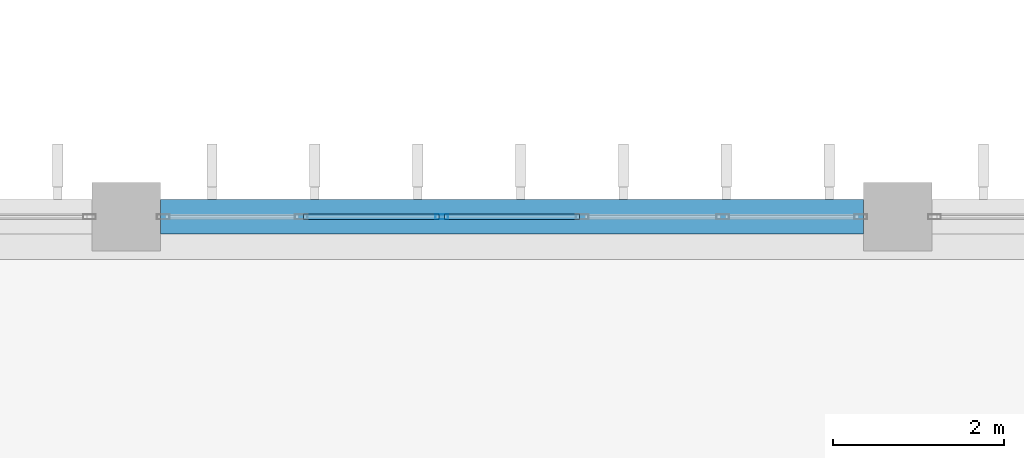
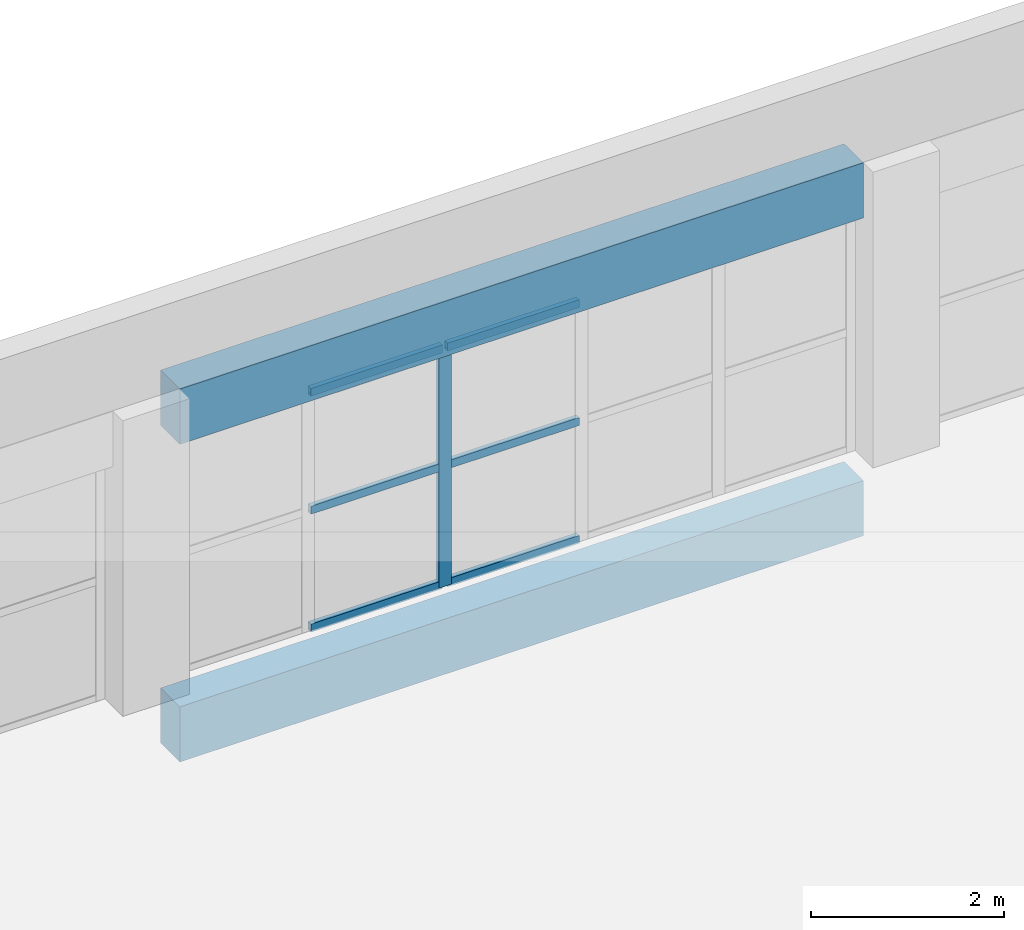
# One storey, part 61 of 185: 7 members, 2 beams, 1 element without a shape of its own.
"""IFC4 building model written with IfcOpenShell, lengths in metres."""

from ifc_helpers import new_model, si_unit, direction, frame, origin, origin_2d, place, context, subcontext, project, spatial, rectangle, hollow_rectangle, extrude, material, layer, layer_set, material_profile, profile_set, type_object, element, aggregate, save


model = new_model("IFC4")

# Units and contexts
model_context = context("Model", 3, precision=1e-05, world=origin(), true_north=direction((0.0, 1.0)))
body_context = subcontext(model_context, "Body", "Model", "MODEL_VIEW")
ifc_project = project(units=[si_unit("LENGTHUNIT", "METRE"), si_unit("AREAUNIT", "SQUARE_METRE"), si_unit("VOLUMEUNIT", "CUBIC_METRE"), si_unit("PLANEANGLEUNIT", "RADIAN"), si_unit("MASSUNIT", "GRAM", prefix="KILO")], contexts=[model_context])

# Site, building, storey
site_placement = place(None, origin())
site = spatial("IfcSite", under=ifc_project, at=site_placement, CompositionType="ELEMENT")
building_placement = place(site_placement, origin())
building = spatial("IfcBuilding", under=site, at=building_placement, Name="Opaline Strait Convention Centre", CompositionType="ELEMENT")
storey_placement = place(building_placement, frame((0.0, 0.0, 6.0)))
storey = spatial("IfcBuildingStorey", under=building, at=storey_placement, Name="L01", CompositionType="ELEMENT", Elevation=6.0)

# Curtain wall, members
ifc_material_1 = material(Name="Aluminium 6063-T5", Category="aluminium")
ifc_layer = layer(ifc_material_1, 0.199951171875)
ifc_layer_set = layer_set([ifc_layer], Name="Aluminium 6063-T5")
curtain_wall_type = type_object("IfcCurtainWallType", Name="Unitised curtain wall 1640 module", PredefinedType="NOTDEFINED", material=ifc_layer_set)
curtain_wall_placement = place(storey_placement, origin())
curtain_wall = element("IfcCurtainWall", 1, at=curtain_wall_placement, inside=storey, type_object=curtain_wall_type, Name="Ballroom north curtain wall L01 bay 5", PredefinedType="NOTDEFINED")
ifc_material_2 = material(Name="Aluminium alloy 6063", Category="aluminium")
ifc_material_profile_1 = material_profile(ifc_material_2, hollow_rectangle(XDim=0.06005859375, YDim=0.14990234375, WallThickness=0.00390625, at=origin_2d()), Name="MULLION 60x150x4")
ifc_profile_set_1 = profile_set([ifc_material_profile_1], Name="Aluminium alloy 6063")
member_type_1 = type_object("IfcMemberType", Name="Curtain wall mullion 60 x 150", PredefinedType="MULLION", material=ifc_profile_set_1)
member_1_placement = place(storey_placement, frame((327.679931640625, 72.0, 0.0), z_axis=(0.0, 0.0, 1.0), x_axis=(0.0, 1.0, 0.0)))
member_1 = element("IfcMember", 2, at=member_1_placement, type_object=member_type_1, Name="BG2 mullion 3", PredefinedType="MULLION", context=body_context, shape_type="SweptSolid", body=[
    extrude(hollow_rectangle(XDim=0.06005859375, YDim=0.14990234375, WallThickness=0.00390625, at=origin_2d()), origin(), (0.0, 0.0, 1.0), 3.050048828125),
])
ifc_material_profile_2 = material_profile(ifc_material_2, hollow_rectangle(XDim=0.06005859375, YDim=0.10009765625, WallThickness=0.0029296875, at=origin_2d()), Name="TRANSOM 60x100x3")
ifc_profile_set_2 = profile_set([ifc_material_profile_2], Name="Aluminium alloy 6063")
member_type_2 = type_object("IfcMemberType", Name="Curtain wall transom 60 x 100", PredefinedType="USERDEFINED", material=ifc_profile_set_2)
member_2_placement = place(storey_placement, frame((326.06982421875, 72.0, 0.030029296875), z_axis=(1.0, 0.0, 0.0), x_axis=(0.0, 1.0, 0.0)))
member_2 = element("IfcMember", 3, at=member_2_placement, type_object=member_type_2, Name="BG2 transom 2.1", ObjectType="TRANSOM", PredefinedType="USERDEFINED", context=body_context, shape_type="SweptSolid", body=[
    extrude(hollow_rectangle(XDim=0.06005859375, YDim=0.10009765625, WallThickness=0.0029296875, at=origin_2d()), origin(), (0.0, 0.0, 1.0), 1.580078125),
])
member_3_placement = place(storey_placement, frame((326.06982421875, 72.0, 1.52490234375), z_axis=(1.0, 0.0, 0.0), x_axis=(0.0, 1.0, 0.0)))
member_3 = element("IfcMember", 4, at=member_3_placement, type_object=member_type_2, Name="BG2 transom 2.2", ObjectType="TRANSOM", PredefinedType="USERDEFINED", context=body_context, shape_type="SweptSolid", body=[
    extrude(hollow_rectangle(XDim=0.06005859375, YDim=0.10009765625, WallThickness=0.0029296875, at=origin_2d()), origin(), (0.0, 0.0, 1.0), 1.580078125),
])
member_4_placement = place(storey_placement, frame((326.06982421875, 72.0, 3.02001953125), z_axis=(1.0, 0.0, 0.0), x_axis=(0.0, 1.0, 0.0)))
member_4 = element("IfcMember", 5, at=member_4_placement, type_object=member_type_2, Name="BG2 transom 2.3", ObjectType="TRANSOM", PredefinedType="USERDEFINED", context=body_context, shape_type="SweptSolid", body=[
    extrude(hollow_rectangle(XDim=0.06005859375, YDim=0.10009765625, WallThickness=0.0029296875, at=origin_2d()), origin(), (0.0, 0.0, 1.0), 1.580078125),
])
member_5_placement = place(storey_placement, frame((327.7099609375, 72.0, 0.030029296875), z_axis=(1.0, 0.0, 0.0), x_axis=(0.0, 1.0, 0.0)))
member_5 = element("IfcMember", 6, at=member_5_placement, type_object=member_type_2, Name="BG2 transom 3.1", ObjectType="TRANSOM", PredefinedType="USERDEFINED", context=body_context, shape_type="SweptSolid", body=[
    extrude(hollow_rectangle(XDim=0.06005859375, YDim=0.10009765625, WallThickness=0.0029296875, at=origin_2d()), origin(), (0.0, 0.0, 1.0), 1.580078125),
])
member_6_placement = place(storey_placement, frame((327.7099609375, 72.0, 1.52490234375), z_axis=(1.0, 0.0, 0.0), x_axis=(0.0, 1.0, 0.0)))
member_6 = element("IfcMember", 7, at=member_6_placement, type_object=member_type_2, Name="BG2 transom 3.2", ObjectType="TRANSOM", PredefinedType="USERDEFINED", context=body_context, shape_type="SweptSolid", body=[
    extrude(hollow_rectangle(XDim=0.06005859375, YDim=0.10009765625, WallThickness=0.0029296875, at=origin_2d()), origin(), (0.0, 0.0, 1.0), 1.580078125),
])
member_7_placement = place(storey_placement, frame((327.7099609375, 72.0, 3.02001953125), z_axis=(1.0, 0.0, 0.0), x_axis=(0.0, 1.0, 0.0)))
member_7 = element("IfcMember", 8, at=member_7_placement, type_object=member_type_2, Name="BG2 transom 3.3", ObjectType="TRANSOM", PredefinedType="USERDEFINED", context=body_context, shape_type="SweptSolid", body=[
    extrude(hollow_rectangle(XDim=0.06005859375, YDim=0.10009765625, WallThickness=0.0029296875, at=origin_2d()), origin(), (0.0, 0.0, 1.0), 1.580078125),
])
aggregate(curtain_wall, [member_1, member_2, member_3, member_4, member_5, member_6, member_7])

# Beams
ifc_material_3 = material(Name="Concrete C35", Category="concrete")
ifc_material_profile_3 = material_profile(ifc_material_3, rectangle(XDim=0.39990234375, YDim=0.699951171875, at=origin_2d()), Name="RC 400x700")
ifc_profile_set_3 = profile_set([ifc_material_profile_3], Name="Concrete C35")
beam_type = type_object("IfcBeamType", Name="RC girder 400x700 C35", PredefinedType="BEAM", material=ifc_profile_set_3)
for number, where, z_axis, x_axis, name in (
    (9, (324.39990234375, 72.0, -0.6298828125), (1.0, 0.0, 0.0), (0.0, 1.0, 0.0), "BB1 girder 37/J-38/J F"),
    (10, (324.39990234375, 72.0, 3.39990234375), (1.0, 0.0, 0.0), (0.0, 1.0, 0.0), "BB1 girder 37/J-38/J R"),
):
    element("IfcBeam", number, at=place(storey_placement, frame(where, z_axis=z_axis, x_axis=x_axis)), inside=storey, type_object=beam_type, Name=name, PredefinedType="BEAM", context=body_context, shape_type="SweptSolid", body=[
        extrude(rectangle(XDim=0.39990234375, YDim=0.699951171875, at=origin_2d()), origin(), (0.0, 0.0, 1.0), 8.2001953125),
    ])

save(model, "model.ifc")
